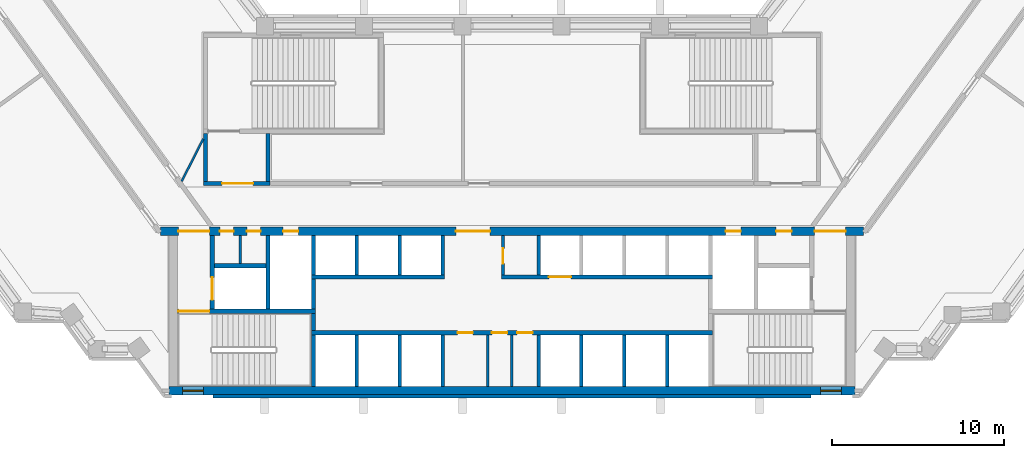
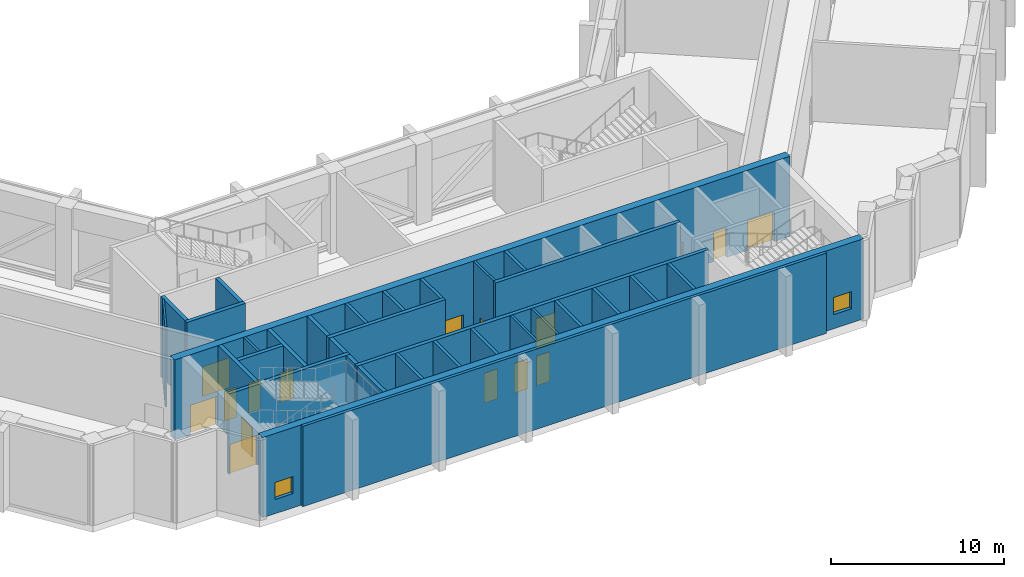
# One storey, part 11 of 18: 33 walls, 16 doors, 2 windows, 18 openings.
"""IFC4 building model written with IfcOpenShell, lengths in metres."""

from ifc_helpers import new_model, si_unit, direction, frame, frame_2d, origin, place, context, subcontext, project, spatial, rectangle, extrude, material, layer, layer_set, type_object, element, fill, save


model = new_model("IFC4")

# Units and contexts
model_context = context("Model", 3, precision=1e-05, world=origin(), true_north=direction((0.0, 1.0)))
body_context = subcontext(model_context, "Body", "Model", "MODEL_VIEW")
ifc_project = project(units=[si_unit("LENGTHUNIT", "METRE"), si_unit("AREAUNIT", "SQUARE_METRE"), si_unit("VOLUMEUNIT", "CUBIC_METRE"), si_unit("PLANEANGLEUNIT", "RADIAN"), si_unit("MASSUNIT", "GRAM", prefix="KILO")], contexts=[model_context])

# Site, building, storey
site_placement = place(None, origin())
site = spatial("IfcSite", under=ifc_project, at=site_placement, CompositionType="ELEMENT")
building_placement = place(site_placement, origin())
building = spatial("IfcBuilding", under=site, at=building_placement, Name="Quipu Civic Tower", CompositionType="ELEMENT")
storey_placement = place(building_placement, frame((0.0, 0.0, 79.0)))
storey = spatial("IfcBuildingStorey", under=building, at=storey_placement, Name="L18", CompositionType="ELEMENT", Elevation=79.0)

# Wall
ifc_material_1 = material(Name="Concrete C70/85", Category="concrete")
ifc_layer_1 = layer(ifc_material_1, 0.25)
ifc_layer_set_1 = layer_set([ifc_layer_1], Name="Concrete C70/85")
wall_type_1 = type_object("IfcWallType", Name="Core wall 250", PredefinedType="SHEAR", material=ifc_layer_set_1)
wall_1_placement = place(storey_placement, frame((-11.574951171875, -10.5, 0.0), z_axis=(0.0, 0.0, 1.0), x_axis=(0.0, 1.0, 0.0)))
element("IfcWall", 1, at=wall_1_placement, inside=storey, type_object=wall_type_1, Name="Core wall", PredefinedType="SHEAR", context=body_context, shape_type="SweptSolid", body=[
    extrude(rectangle(XDim=3.0, YDim=0.25, at=frame_2d((1.5, 0.0))), origin(), (0.0, 0.0, 1.0), 5.64990234375),
])

# Wall, openings, doors
wall_2_placement = place(storey_placement, frame((11.699951171875, -7.375, 0.0), z_axis=(0.0, 0.0, 1.0), x_axis=(-1.0, 0.0, 0.0)))
wall_2 = element("IfcWall", 2, at=wall_2_placement, inside=storey, type_object=wall_type_1, Name="Core wall", PredefinedType="SHEAR", context=body_context, shape_type="SweptSolid", body=[
    extrude(rectangle(XDim=23.39990234375, YDim=0.25, at=frame_2d((11.699951171875, 0.0))), origin(), (0.0, 0.0, 1.0), 5.64990234375),
])
opening_1_placement = place(wall_2_placement, frame((13.97509765625, 0.0, 0.0)))
opening_1 = element("IfcOpeningElement", 3, at=opening_1_placement, cuts=wall_2, Name="Opening CD-01", PredefinedType="OPENING", context=body_context, shape_type="SweptSolid", body=[
    extrude(rectangle(XDim=0.89990234375, YDim=2.10009765625, at=frame_2d((0.449951171875, 1.050048828125))), frame((0.0, 0.135009765625, 0.0), z_axis=(0.0, -1.0, 0.0), x_axis=(1.0, 0.0, 0.0)), (0.0, 0.0, 1.0), 0.27001953125),
])
opening_2_placement = place(wall_2_placement, frame((11.97509765625, 0.0, 0.0)))
opening_2 = element("IfcOpeningElement", 4, at=opening_2_placement, cuts=wall_2, Name="Opening CD-02", PredefinedType="OPENING", context=body_context, shape_type="SweptSolid", body=[
    extrude(rectangle(XDim=0.89990234375, YDim=2.10009765625, at=frame_2d((0.449951171875, 1.050048828125))), frame((0.0, 0.135009765625, 0.0), z_axis=(0.0, -1.0, 0.0), x_axis=(1.0, 0.0, 0.0)), (0.0, 0.0, 1.0), 0.27001953125),
])
opening_3_placement = place(wall_2_placement, frame((10.5, 0.0, 0.0)))
opening_3 = element("IfcOpeningElement", 5, at=opening_3_placement, cuts=wall_2, Name="Opening CD-03", PredefinedType="OPENING", context=body_context, shape_type="SweptSolid", body=[
    extrude(rectangle(XDim=0.89990234375, YDim=2.10009765625, at=frame_2d((0.449951171875, 1.050048828125))), frame((0.0, 0.135009765625, 0.0), z_axis=(0.0, -1.0, 0.0), x_axis=(1.0, 0.0, 0.0)), (0.0, 0.0, 1.0), 0.27001953125),
])
ifc_material_2 = material(Name="Fire rated steel door", Category="steel")
door_type_1 = type_object("IfcDoorType", Name="Fire door FD60 900 x 2100", OperationType="NOTDEFINED", PredefinedType="DOOR", material=ifc_material_2)
door_1_placement = place(opening_1_placement, origin())
door_1 = element("IfcDoor", 6, at=door_1_placement, inside=storey, type_object=door_type_1, Name="Plant door", OperationType="SINGLE_SWING_RIGHT", OverallHeight=2.10009765625, OverallWidth=0.89990234375, PredefinedType="DOOR", context=body_context, shape_type="SweptSolid", body=[
    extrude(rectangle(XDim=0.89990234375, YDim=2.10009765625, at=frame_2d((0.449951171875, 1.050048828125))), frame((0.0, 0.02490234375, 0.0), z_axis=(0.0, -1.0, 0.0), x_axis=(1.0, 0.0, 0.0)), (0.0, 0.0, 1.0), 0.050048828125),
])
fill(opening_1, door_1)
door_2_placement = place(opening_2_placement, origin())
door_2 = element("IfcDoor", 7, at=door_2_placement, inside=storey, type_object=door_type_1, Name="Plant door", OperationType="SINGLE_SWING_RIGHT", OverallHeight=2.10009765625, OverallWidth=0.89990234375, PredefinedType="DOOR", context=body_context, shape_type="SweptSolid", body=[
    extrude(rectangle(XDim=0.89990234375, YDim=2.10009765625, at=frame_2d((0.449951171875, 1.050048828125))), frame((0.0, 0.02490234375, 0.0), z_axis=(0.0, -1.0, 0.0), x_axis=(1.0, 0.0, 0.0)), (0.0, 0.0, 1.0), 0.050048828125),
])
fill(opening_2, door_2)
door_3_placement = place(opening_3_placement, origin())
door_3 = element("IfcDoor", 8, at=door_3_placement, inside=storey, type_object=door_type_1, Name="Plant door", OperationType="SINGLE_SWING_LEFT", OverallHeight=2.10009765625, OverallWidth=0.89990234375, PredefinedType="DOOR", context=body_context, shape_type="SweptSolid", body=[
    extrude(rectangle(XDim=0.89990234375, YDim=2.10009765625, at=frame_2d((0.449951171875, 1.050048828125))), frame((0.0, 0.02490234375, 0.0), z_axis=(0.0, -1.0, 0.0), x_axis=(1.0, 0.0, 0.0)), (0.0, 0.0, 1.0), 0.050048828125),
])
fill(opening_3, door_3)

# Wall
wall_3_placement = place(storey_placement, frame((-11.574951171875, -7.25, 0.0), z_axis=(0.0, 0.0, 1.0), x_axis=(0.0, 1.0, 0.0)))
element("IfcWall", 9, at=wall_3_placement, inside=storey, type_object=wall_type_1, Name="Core wall", PredefinedType="SHEAR", context=body_context, shape_type="SweptSolid", body=[
    extrude(rectangle(XDim=1.0, YDim=0.25, at=frame_2d((0.5, 0.0))), origin(), (0.0, 0.0, 1.0), 5.64990234375),
])

# Wall, opening, door
wall_4_placement = place(storey_placement, frame((-11.449951171875, -6.125, 0.0), z_axis=(0.0, 0.0, 1.0), x_axis=(-1.0, 0.0, 0.0)))
wall_4 = element("IfcWall", 10, at=wall_4_placement, inside=storey, type_object=wall_type_1, Name="Core wall", PredefinedType="SHEAR", context=body_context, shape_type="SweptSolid", body=[
    extrude(rectangle(XDim=8.050048828125, YDim=0.25, at=frame_2d((4.02490234375, 0.0))), origin(), (0.0, 0.0, 1.0), 5.64990234375),
])
opening_4_placement = place(wall_4_placement, frame((6.199951171875, 0.0, 0.0)))
opening_4 = element("IfcOpeningElement", 11, at=opening_4_placement, cuts=wall_4, Name="Opening CD-04", PredefinedType="OPENING", context=body_context, shape_type="SweptSolid", body=[
    extrude(rectangle(XDim=1.800048828125, YDim=2.10009765625, at=frame_2d((0.89990234375, 1.050048828125))), frame((0.0, 0.135009765625, 0.0), z_axis=(0.0, -1.0, 0.0), x_axis=(1.0, 0.0, 0.0)), (0.0, 0.0, 1.0), 0.27001953125),
])
ifc_material_3 = material(Name="Fire rated steel door", Category="steel")
door_type_2 = type_object("IfcDoorType", Name="Fire door FD90 double 1800 x 2100", OperationType="NOTDEFINED", PredefinedType="DOOR", material=ifc_material_3)
door_4_placement = place(opening_4_placement, origin())
door_4 = element("IfcDoor", 12, at=door_4_placement, inside=storey, type_object=door_type_2, Name="Door", OperationType="DOUBLE_DOOR_SINGLE_SWING", OverallHeight=2.10009765625, OverallWidth=1.800048828125, PredefinedType="DOOR", context=body_context, shape_type="SweptSolid", body=[
    extrude(rectangle(XDim=1.800048828125, YDim=2.10009765625, at=frame_2d((0.89990234375, 1.050048828125))), frame((0.0, 0.02490234375, 0.0), z_axis=(0.0, -1.0, 0.0), x_axis=(1.0, 0.0, 0.0)), (0.0, 0.0, 1.0), 0.050048828125),
])
fill(opening_4, door_4)

wall_5_placement = place(storey_placement, frame((-17.47509765625, -6.0, 0.0), z_axis=(0.0, 0.0, 1.0), x_axis=(0.0, 1.0, 0.0)))
wall_5 = element("IfcWall", 13, at=wall_5_placement, inside=storey, type_object=wall_type_1, Name="Core wall", PredefinedType="SHEAR", context=body_context, shape_type="SweptSolid", body=[
    extrude(rectangle(XDim=4.300048828125, YDim=0.25, at=frame_2d((2.14990234375, 0.0))), origin(), (0.0, 0.0, 1.0), 5.64990234375),
])
opening_5_placement = place(wall_5_placement, frame((0.550048828125, 0.0, 0.0)))
opening_5 = element("IfcOpeningElement", 14, at=opening_5_placement, cuts=wall_5, Name="Opening LD-FF1", PredefinedType="OPENING", context=body_context, shape_type="SweptSolid", body=[
    extrude(rectangle(XDim=1.300048828125, YDim=2.10009765625, at=frame_2d((0.64990234375, 1.050048828125))), frame((0.0, 0.135009765625, 0.0), z_axis=(0.0, -1.0, 0.0), x_axis=(1.0, 0.0, 0.0)), (0.0, 0.0, 1.0), 0.27001953125),
])
ifc_material_4 = material(Name="Stainless steel", Category="steel")
door_type_3 = type_object("IfcDoorType", Name="Lift landing door 1300 x 2100", OperationType="DOUBLE_DOOR_SLIDING", PredefinedType="DOOR", material=ifc_material_4)
door_5_placement = place(opening_5_placement, origin())
door_5 = element("IfcDoor", 15, at=door_5_placement, inside=storey, type_object=door_type_3, Name="Landing door FF1", OperationType="DOUBLE_DOOR_SLIDING", OverallHeight=2.10009765625, OverallWidth=1.300048828125, PredefinedType="DOOR", context=body_context, shape_type="SweptSolid", body=[
    extrude(rectangle(XDim=1.300048828125, YDim=2.10009765625, at=frame_2d((0.64990234375, 1.050048828125))), frame((0.0, 0.02490234375, 0.0), z_axis=(0.0, -1.0, 0.0), x_axis=(1.0, 0.0, 0.0)), (0.0, 0.0, 1.0), 0.050048828125),
])
fill(opening_5, door_5)

# Walls
wall_6_placement = place(storey_placement, frame((-14.22509765625, -6.0, 0.0), z_axis=(0.0, 0.0, 1.0), x_axis=(0.0, 1.0, 0.0)))
element("IfcWall", 16, at=wall_6_placement, inside=storey, type_object=wall_type_1, Name="Core wall", PredefinedType="SHEAR", context=body_context, shape_type="SweptSolid", body=[
    extrude(rectangle(XDim=4.300048828125, YDim=0.25, at=frame_2d((2.14990234375, 0.0))), origin(), (0.0, 0.0, 1.0), 5.64990234375),
])
wall_7_placement = place(storey_placement, frame((-11.574951171875, -6.0, 0.0), z_axis=(0.0, 0.0, 1.0), x_axis=(0.0, 1.0, 0.0)))
element("IfcWall", 17, at=wall_7_placement, inside=storey, type_object=wall_type_1, Name="Core wall", PredefinedType="SHEAR", context=body_context, shape_type="SweptSolid", body=[
    extrude(rectangle(XDim=1.75, YDim=0.25, at=frame_2d((0.875, 0.0))), origin(), (0.0, 0.0, 1.0), 5.64990234375),
])
wall_8_placement = place(storey_placement, frame((-11.699951171875, -4.125, 0.0), z_axis=(0.0, 0.0, 1.0), x_axis=(1.0, 0.0, 0.0)))
element("IfcWall", 18, at=wall_8_placement, inside=storey, type_object=wall_type_1, Name="Core wall", PredefinedType="SHEAR", context=body_context, shape_type="SweptSolid", body=[
    extrude(rectangle(XDim=7.75, YDim=0.25, at=frame_2d((3.875, 0.0))), origin(), (0.0, 0.0, 1.0), 5.64990234375),
])

# Wall, opening, door
wall_9_placement = place(storey_placement, frame((-0.60009765625, -4.125, 0.0), z_axis=(0.0, 0.0, 1.0), x_axis=(1.0, 0.0, 0.0)))
wall_9 = element("IfcWall", 19, at=wall_9_placement, inside=storey, type_object=wall_type_1, Name="Core wall", PredefinedType="SHEAR", context=body_context, shape_type="SweptSolid", body=[
    extrude(rectangle(XDim=12.300048828125, YDim=0.25, at=frame_2d((6.14990234375, 0.0))), origin(), (0.0, 0.0, 1.0), 5.64990234375),
])
opening_6_placement = place(wall_9_placement, frame((2.75, 0.0, 0.0)))
opening_6 = element("IfcOpeningElement", 20, at=opening_6_placement, cuts=wall_9, Name="Opening LD-FF3", PredefinedType="OPENING", context=body_context, shape_type="SweptSolid", body=[
    extrude(rectangle(XDim=1.300048828125, YDim=2.10009765625, at=frame_2d((0.64990234375, 1.050048828125))), frame((0.0, 0.135009765625, 0.0), z_axis=(0.0, -1.0, 0.0), x_axis=(1.0, 0.0, 0.0)), (0.0, 0.0, 1.0), 0.27001953125),
])
door_6_placement = place(opening_6_placement, origin())
door_6 = element("IfcDoor", 21, at=door_6_placement, inside=storey, type_object=door_type_3, Name="Landing door FF3", OperationType="DOUBLE_DOOR_SLIDING", OverallHeight=2.10009765625, OverallWidth=1.300048828125, PredefinedType="DOOR", context=body_context, shape_type="SweptSolid", body=[
    extrude(rectangle(XDim=1.300048828125, YDim=2.10009765625, at=frame_2d((0.64990234375, 1.050048828125))), frame((0.0, 0.02490234375, 0.0), z_axis=(0.0, -1.0, 0.0), x_axis=(1.0, 0.0, 0.0)), (0.0, 0.0, 1.0), 0.050048828125),
])
fill(opening_6, door_6)

# Walls
wall_10_placement = place(storey_placement, frame((-11.574951171875, -4.0, 0.0), z_axis=(0.0, 0.0, 1.0), x_axis=(0.0, 1.0, 0.0)))
element("IfcWall", 22, at=wall_10_placement, inside=storey, type_object=wall_type_1, Name="Core wall", PredefinedType="SHEAR", context=body_context, shape_type="SweptSolid", body=[
    extrude(rectangle(XDim=2.300048828125, YDim=0.25, at=frame_2d((1.14990234375, 0.0))), origin(), (0.0, 0.0, 1.0), 5.64990234375),
])
wall_11_placement = place(storey_placement, frame((-17.35009765625, -3.47509765625, 0.0), z_axis=(0.0, 0.0, 1.0), x_axis=(1.0, 0.0, 0.0)))
element("IfcWall", 23, at=wall_11_placement, inside=storey, type_object=wall_type_1, Name="Core wall", PredefinedType="SHEAR", context=body_context, shape_type="SweptSolid", body=[
    extrude(rectangle(XDim=3.0, YDim=0.25, at=frame_2d((1.5, 0.0))), origin(), (0.0, 0.0, 1.0), 5.64990234375),
])

# Wall, opening, door
wall_12_placement = place(storey_placement, frame((-18.0, 1.324951171875, 0.0), z_axis=(0.0, 0.0, 1.0), x_axis=(1.0, 0.0, 0.0)))
wall_12 = element("IfcWall", 24, at=wall_12_placement, inside=storey, type_object=wall_type_1, Name="Core wall", PredefinedType="SHEAR", context=body_context, shape_type="SweptSolid", body=[
    extrude(rectangle(XDim=3.89990234375, YDim=0.25, at=frame_2d((1.949951171875, 0.0))), origin(), (0.0, 0.0, 1.0), 5.64990234375),
])
opening_7_placement = place(wall_12_placement, frame((1.10009765625, 0.0, 0.0)))
opening_7 = element("IfcOpeningElement", 25, at=opening_7_placement, cuts=wall_12, Name="Opening CD-15", PredefinedType="OPENING", context=body_context, shape_type="SweptSolid", body=[
    extrude(rectangle(XDim=1.800048828125, YDim=2.10009765625, at=frame_2d((0.89990234375, 1.050048828125))), frame((0.0, 0.135009765625, 0.0), z_axis=(0.0, -1.0, 0.0), x_axis=(1.0, 0.0, 0.0)), (0.0, 0.0, 1.0), 0.27001953125),
])
door_7_placement = place(opening_7_placement, origin())
door_7 = element("IfcDoor", 26, at=door_7_placement, inside=storey, type_object=door_type_2, Name="Lobby door", OperationType="DOUBLE_DOOR_SINGLE_SWING", OverallHeight=2.10009765625, OverallWidth=1.800048828125, PredefinedType="DOOR", context=body_context, shape_type="SweptSolid", body=[
    extrude(rectangle(XDim=1.800048828125, YDim=2.10009765625, at=frame_2d((0.89990234375, 1.050048828125))), frame((0.0, 0.02490234375, 0.0), z_axis=(0.0, -1.0, 0.0), x_axis=(1.0, 0.0, 0.0)), (0.0, 0.0, 1.0), 0.050048828125),
])
fill(opening_7, door_7)

# Walls
for number, where, z_axis, x_axis, name in (
    (27, (-17.875, 1.449951171875, 0.0), (0.0, 0.0, 1.0), (0.0, 1.0, 0.0), "Core wall"),
    (28, (-14.22509765625, 1.449951171875, 0.0), (0.0, 0.0, 1.0), (0.0, 1.0, 0.0), "Core wall"),
):
    element("IfcWall", number, at=place(storey_placement, frame(where, z_axis=z_axis, x_axis=x_axis)), inside=storey, type_object=wall_type_1, Name=name, PredefinedType="SHEAR", context=body_context, shape_type="SweptSolid", body=[
        extrude(rectangle(XDim=2.800048828125, YDim=0.25, at=frame_2d((1.39990234375, 0.0))), origin(), (0.0, 0.0, 1.0), 5.64990234375),
    ])

# Wall, openings, windows
ifc_material_5 = material(Name="Concrete C70/85", Category="concrete")
ifc_layer_2 = layer(ifc_material_5, 0.5)
ifc_layer_set_2 = layer_set([ifc_layer_2], Name="Concrete C70/85")
wall_type_2 = type_object("IfcWallType", Name="Core wall 500", PredefinedType="SHEAR", material=ifc_layer_set_2)
wall_13_placement = place(storey_placement, frame((-20.0, -10.75, 0.0), z_axis=(0.0, 0.0, 1.0), x_axis=(1.0, 0.0, 0.0)))
wall_13 = element("IfcWall", 29, at=wall_13_placement, inside=storey, type_object=wall_type_2, Name="Core wall", PredefinedType="SHEAR", context=body_context, shape_type="SweptSolid", body=[
    extrude(rectangle(XDim=40.0, YDim=0.5, at=frame_2d((20.0, 0.0))), origin(), (0.0, 0.0, 1.0), 5.64990234375),
])
opening_8_placement = place(wall_13_placement, frame((0.800048828125, 0.0, 1.0)))
opening_8 = element("IfcOpeningElement", 30, at=opening_8_placement, cuts=wall_13, Name="Opening SV-1", PredefinedType="OPENING", context=body_context, shape_type="SweptSolid", body=[
    extrude(rectangle(XDim=1.199951171875, YDim=1.199951171875, at=frame_2d((0.60009765625, 0.60009765625))), frame((0.0, 0.260009765625, 0.0), z_axis=(0.0, -1.0, 0.0), x_axis=(1.0, 0.0, 0.0)), (0.0, 0.0, 1.0), 0.52001953125),
])
opening_9_placement = place(wall_13_placement, frame((38.0, 0.0, 1.0)))
opening_9 = element("IfcOpeningElement", 31, at=opening_9_placement, cuts=wall_13, Name="Opening SV-2", PredefinedType="OPENING", context=body_context, shape_type="SweptSolid", body=[
    extrude(rectangle(XDim=1.199951171875, YDim=1.199951171875, at=frame_2d((0.60009765625, 0.60009765625))), frame((0.0, 0.260009765625, 0.0), z_axis=(0.0, -1.0, 0.0), x_axis=(1.0, 0.0, 0.0)), (0.0, 0.0, 1.0), 0.52001953125),
])
ifc_material_6 = material(Name="Aluminium louvre", Category="aluminium")
window_type = type_object("IfcWindowType", Name="Stair ventilation louvre 1200 x 1200", PartitioningType="SINGLE_PANEL", PredefinedType="WINDOW", material=ifc_material_6)
window_1_placement = place(opening_8_placement, origin())
window_1 = element("IfcWindow", 32, at=window_1_placement, inside=storey, type_object=window_type, Name="Stair ventilation opening", OverallHeight=1.199951171875, OverallWidth=1.199951171875, PartitioningType="SINGLE_PANEL", PredefinedType="WINDOW", context=body_context, shape_type="SweptSolid", body=[
    extrude(rectangle(XDim=1.199951171875, YDim=1.199951171875, at=frame_2d((0.60009765625, 0.60009765625))), frame((0.0, 0.030029296875, 0.0), z_axis=(0.0, -1.0, 0.0), x_axis=(1.0, 0.0, 0.0)), (0.0, 0.0, 1.0), 0.06005859375),
])
fill(opening_8, window_1)
window_2_placement = place(opening_9_placement, origin())
window_2 = element("IfcWindow", 33, at=window_2_placement, inside=storey, type_object=window_type, Name="Stair ventilation opening", OverallHeight=1.199951171875, OverallWidth=1.199951171875, PartitioningType="SINGLE_PANEL", PredefinedType="WINDOW", context=body_context, shape_type="SweptSolid", body=[
    extrude(rectangle(XDim=1.199951171875, YDim=1.199951171875, at=frame_2d((0.60009765625, 0.60009765625))), frame((0.0, 0.030029296875, 0.0), z_axis=(0.0, -1.0, 0.0), x_axis=(1.0, 0.0, 0.0)), (0.0, 0.0, 1.0), 0.06005859375),
])
fill(opening_9, window_2)

# Wall, openings, doors
wall_14_placement = place(storey_placement, frame((20.489990234375, -1.449951171875, 0.0), z_axis=(0.0, 0.0, 1.0), x_axis=(-1.0, 0.0, 0.0)))
wall_14 = element("IfcWall", 34, at=wall_14_placement, inside=storey, type_object=wall_type_2, Name="Core wall", PredefinedType="SHEAR", context=body_context, shape_type="SweptSolid", body=[
    extrude(rectangle(XDim=40.97998046875, YDim=0.5, at=frame_2d((20.489990234375, 0.0))), origin(), (0.0, 0.0, 1.0), 5.64990234375),
])
opening_10_placement = place(wall_14_placement, frame((38.139892578125, 0.0, 0.0)))
opening_10 = element("IfcOpeningElement", 35, at=opening_10_placement, cuts=wall_14, Name="Opening CD-07", PredefinedType="OPENING", context=body_context, shape_type="SweptSolid", body=[
    extrude(rectangle(XDim=1.800048828125, YDim=2.10009765625, at=frame_2d((0.89990234375, 1.050048828125))), frame((0.0, 0.260009765625, 0.0), z_axis=(0.0, -1.0, 0.0), x_axis=(1.0, 0.0, 0.0)), (0.0, 0.0, 1.0), 0.52001953125),
])
opening_11_placement = place(wall_14_placement, frame((36.7275390625, 0.0, 0.0)))
opening_11 = element("IfcOpeningElement", 36, at=opening_11_placement, cuts=wall_14, Name="Opening CD-08", PredefinedType="OPENING", context=body_context, shape_type="SweptSolid", body=[
    extrude(rectangle(XDim=0.800048828125, YDim=2.10009765625, at=frame_2d((0.39990234375, 1.050048828125))), frame((0.0, 0.260009765625, 0.0), z_axis=(0.0, -1.0, 0.0), x_axis=(1.0, 0.0, 0.0)), (0.0, 0.0, 1.0), 0.52001953125),
])
opening_12_placement = place(wall_14_placement, frame((35.152587890625, 0.0, 0.0)))
opening_12 = element("IfcOpeningElement", 37, at=opening_12_placement, cuts=wall_14, Name="Opening CD-09", PredefinedType="OPENING", context=body_context, shape_type="SweptSolid", body=[
    extrude(rectangle(XDim=0.800048828125, YDim=2.10009765625, at=frame_2d((0.39990234375, 1.050048828125))), frame((0.0, 0.260009765625, 0.0), z_axis=(0.0, -1.0, 0.0), x_axis=(1.0, 0.0, 0.0)), (0.0, 0.0, 1.0), 0.52001953125),
])
opening_13_placement = place(wall_14_placement, frame((32.93994140625, 0.0, 0.0)))
opening_13 = element("IfcOpeningElement", 38, at=opening_13_placement, cuts=wall_14, Name="Opening CD-10", PredefinedType="OPENING", context=body_context, shape_type="SweptSolid", body=[
    extrude(rectangle(XDim=0.89990234375, YDim=2.10009765625, at=frame_2d((0.449951171875, 1.050048828125))), frame((0.0, 0.260009765625, 0.0), z_axis=(0.0, -1.0, 0.0), x_axis=(1.0, 0.0, 0.0)), (0.0, 0.0, 1.0), 0.52001953125),
])
opening_14_placement = place(wall_14_placement, frame((21.764892578125, 0.0, 0.0)))
opening_14 = element("IfcOpeningElement", 39, at=opening_14_placement, cuts=wall_14, Name="Opening CD-11", PredefinedType="OPENING", context=body_context, shape_type="SweptSolid", body=[
    extrude(rectangle(XDim=2.0, YDim=2.10009765625, at=frame_2d((1.0, 1.050048828125))), frame((0.0, 0.260009765625, 0.0), z_axis=(0.0, -1.0, 0.0), x_axis=(1.0, 0.0, 0.0)), (0.0, 0.0, 1.0), 0.52001953125),
])
opening_15_placement = place(wall_14_placement, frame((7.139892578125, 0.0, 0.0)))
opening_15 = element("IfcOpeningElement", 40, at=opening_15_placement, cuts=wall_14, Name="Opening CD-12", PredefinedType="OPENING", context=body_context, shape_type="SweptSolid", body=[
    extrude(rectangle(XDim=0.89990234375, YDim=2.10009765625, at=frame_2d((0.449951171875, 1.050048828125))), frame((0.0, 0.260009765625, 0.0), z_axis=(0.0, -1.0, 0.0), x_axis=(1.0, 0.0, 0.0)), (0.0, 0.0, 1.0), 0.52001953125),
])
opening_16_placement = place(wall_14_placement, frame((4.18994140625, 0.0, 0.0)))
opening_16 = element("IfcOpeningElement", 41, at=opening_16_placement, cuts=wall_14, Name="Opening CD-13", PredefinedType="OPENING", context=body_context, shape_type="SweptSolid", body=[
    extrude(rectangle(XDim=0.89990234375, YDim=2.10009765625, at=frame_2d((0.449951171875, 1.050048828125))), frame((0.0, 0.260009765625, 0.0), z_axis=(0.0, -1.0, 0.0), x_axis=(1.0, 0.0, 0.0)), (0.0, 0.0, 1.0), 0.52001953125),
])
opening_17_placement = place(wall_14_placement, frame((1.0400390625, 0.0, 0.0)))
opening_17 = element("IfcOpeningElement", 42, at=opening_17_placement, cuts=wall_14, Name="Opening CD-14", PredefinedType="OPENING", context=body_context, shape_type="SweptSolid", body=[
    extrude(rectangle(XDim=1.800048828125, YDim=2.10009765625, at=frame_2d((0.89990234375, 1.050048828125))), frame((0.0, 0.260009765625, 0.0), z_axis=(0.0, -1.0, 0.0), x_axis=(1.0, 0.0, 0.0)), (0.0, 0.0, 1.0), 0.52001953125),
])
ifc_material_7 = material(Name="Fire rated steel door", Category="steel")
door_type_4 = type_object("IfcDoorType", Name="Fire door FD60 800 x 2100", OperationType="NOTDEFINED", PredefinedType="DOOR", material=ifc_material_7)
door_8_placement = place(opening_11_placement, origin())
door_8 = element("IfcDoor", 43, at=door_8_placement, inside=storey, type_object=door_type_4, Name="Door", OperationType="SINGLE_SWING_RIGHT", OverallHeight=2.10009765625, OverallWidth=0.800048828125, PredefinedType="DOOR", context=body_context, shape_type="SweptSolid", body=[
    extrude(rectangle(XDim=0.800048828125, YDim=2.10009765625, at=frame_2d((0.39990234375, 1.050048828125))), frame((0.0, 0.02490234375, 0.0), z_axis=(0.0, -1.0, 0.0), x_axis=(1.0, 0.0, 0.0)), (0.0, 0.0, 1.0), 0.050048828125),
])
fill(opening_11, door_8)
door_9_placement = place(opening_12_placement, origin())
door_9 = element("IfcDoor", 44, at=door_9_placement, inside=storey, type_object=door_type_4, Name="Door", OperationType="SINGLE_SWING_RIGHT", OverallHeight=2.10009765625, OverallWidth=0.800048828125, PredefinedType="DOOR", context=body_context, shape_type="SweptSolid", body=[
    extrude(rectangle(XDim=0.800048828125, YDim=2.10009765625, at=frame_2d((0.39990234375, 1.050048828125))), frame((0.0, 0.02490234375, 0.0), z_axis=(0.0, -1.0, 0.0), x_axis=(1.0, 0.0, 0.0)), (0.0, 0.0, 1.0), 0.050048828125),
])
fill(opening_12, door_9)
door_10_placement = place(opening_13_placement, origin())
door_10 = element("IfcDoor", 45, at=door_10_placement, inside=storey, type_object=door_type_1, Name="Riser door", OperationType="SINGLE_SWING_RIGHT", OverallHeight=2.10009765625, OverallWidth=0.89990234375, PredefinedType="DOOR", context=body_context, shape_type="SweptSolid", body=[
    extrude(rectangle(XDim=0.89990234375, YDim=2.10009765625, at=frame_2d((0.449951171875, 1.050048828125))), frame((0.0, 0.02490234375, 0.0), z_axis=(0.0, -1.0, 0.0), x_axis=(1.0, 0.0, 0.0)), (0.0, 0.0, 1.0), 0.050048828125),
])
fill(opening_13, door_10)
door_11_placement = place(opening_15_placement, origin())
door_11 = element("IfcDoor", 46, at=door_11_placement, inside=storey, type_object=door_type_1, Name="Riser door", OperationType="SINGLE_SWING_LEFT", OverallHeight=2.10009765625, OverallWidth=0.89990234375, PredefinedType="DOOR", context=body_context, shape_type="SweptSolid", body=[
    extrude(rectangle(XDim=0.89990234375, YDim=2.10009765625, at=frame_2d((0.449951171875, 1.050048828125))), frame((0.0, 0.02490234375, 0.0), z_axis=(0.0, -1.0, 0.0), x_axis=(1.0, 0.0, 0.0)), (0.0, 0.0, 1.0), 0.050048828125),
])
fill(opening_15, door_11)
door_12_placement = place(opening_16_placement, origin())
door_12 = element("IfcDoor", 47, at=door_12_placement, inside=storey, type_object=door_type_1, Name="Door", OperationType="SINGLE_SWING_LEFT", OverallHeight=2.10009765625, OverallWidth=0.89990234375, PredefinedType="DOOR", context=body_context, shape_type="SweptSolid", body=[
    extrude(rectangle(XDim=0.89990234375, YDim=2.10009765625, at=frame_2d((0.449951171875, 1.050048828125))), frame((0.0, 0.02490234375, 0.0), z_axis=(0.0, -1.0, 0.0), x_axis=(1.0, 0.0, 0.0)), (0.0, 0.0, 1.0), 0.050048828125),
])
fill(opening_16, door_12)
door_13_placement = place(opening_10_placement, origin())
door_13 = element("IfcDoor", 48, at=door_13_placement, inside=storey, type_object=door_type_2, Name="Lobby door", OperationType="DOUBLE_DOOR_SINGLE_SWING", OverallHeight=2.10009765625, OverallWidth=1.800048828125, PredefinedType="DOOR", context=body_context, shape_type="SweptSolid", body=[
    extrude(rectangle(XDim=1.800048828125, YDim=2.10009765625, at=frame_2d((0.89990234375, 1.050048828125))), frame((0.0, 0.02490234375, 0.0), z_axis=(0.0, -1.0, 0.0), x_axis=(1.0, 0.0, 0.0)), (0.0, 0.0, 1.0), 0.050048828125),
])
fill(opening_10, door_13)
door_14_placement = place(opening_17_placement, origin())
door_14 = element("IfcDoor", 49, at=door_14_placement, inside=storey, type_object=door_type_2, Name="Lobby door", OperationType="DOUBLE_DOOR_SINGLE_SWING", OverallHeight=2.10009765625, OverallWidth=1.800048828125, PredefinedType="DOOR", context=body_context, shape_type="SweptSolid", body=[
    extrude(rectangle(XDim=1.800048828125, YDim=2.10009765625, at=frame_2d((0.89990234375, 1.050048828125))), frame((0.0, 0.02490234375, 0.0), z_axis=(0.0, -1.0, 0.0), x_axis=(1.0, 0.0, 0.0)), (0.0, 0.0, 1.0), 0.050048828125),
])
fill(opening_17, door_14)
ifc_material_8 = material(Name="Fire rated steel door", Category="steel")
door_type_5 = type_object("IfcDoorType", Name="Fire door FD90 double 2000 x 2100", OperationType="NOTDEFINED", PredefinedType="DOOR", material=ifc_material_8)
door_15_placement = place(opening_14_placement, origin())
door_15 = element("IfcDoor", 50, at=door_15_placement, inside=storey, type_object=door_type_5, Name="Lobby door", OperationType="DOUBLE_DOOR_SINGLE_SWING", OverallHeight=2.10009765625, OverallWidth=2.0, PredefinedType="DOOR", context=body_context, shape_type="SweptSolid", body=[
    extrude(rectangle(XDim=2.0, YDim=2.10009765625, at=frame_2d((1.0, 1.050048828125))), frame((0.0, 0.02490234375, 0.0), z_axis=(0.0, -1.0, 0.0), x_axis=(1.0, 0.0, 0.0)), (0.0, 0.0, 1.0), 0.050048828125),
])
fill(opening_14, door_15)

# Walls
ifc_material_9 = material(Name="Gypsum plasterboard on light gauge framing")
ifc_layer_3 = layer(ifc_material_9, 0.1201171875)
ifc_layer_set_3 = layer_set([ifc_layer_3], Name="Gypsum plasterboard on light gauge framing")
wall_type_3 = type_object("IfcWallType", Name="Partition 120 plasterboard", PredefinedType="PARTITIONING", material=ifc_layer_set_3)
wall_15_placement = place(storey_placement, frame((-19.260986328125, 1.449951171875, 0.0), z_axis=(0.0, 0.0, 1.0), x_axis=(0.453950796792, 0.891026752736, 0.0)))
element("IfcWall", 51, at=wall_15_placement, inside=storey, type_object=wall_type_3, Name="Partition P11", PredefinedType="PARTITIONING", context=body_context, shape_type="SweptSolid", body=[
    extrude(rectangle(XDim=2.77783203125, YDim=0.1201171875, at=frame_2d((1.388916015625, 0.0))), origin(), (0.0, 0.0, 1.0), 5.64990234375),
])
ifc_material_10 = material(Name="Gypsum board partition")
ifc_layer_4 = layer(ifc_material_10, 0.14990234375)
ifc_layer_set_4 = layer_set([ifc_layer_4], Name="Gypsum board partition")
wall_type_4 = type_object("IfcWallType", Name="Partition 150", PredefinedType="PARTITIONING", material=ifc_layer_set_4)
for number, where, z_axis, x_axis, name in (
    (52, (-1.425048828125, -10.5, 0.0), (0.0, 0.0, 1.0), (0.0, 1.0, 0.0), "Partition"),
    (53, (-0.02490234375, -10.5, 0.0), (0.0, 0.0, 1.0), (0.0, 1.0, 0.0), "Partition"),
):
    element("IfcWall", number, at=place(storey_placement, frame(where, z_axis=z_axis, x_axis=x_axis)), inside=storey, type_object=wall_type_4, Name=name, PredefinedType="PARTITIONING", context=body_context, shape_type="SweptSolid", body=[
        extrude(rectangle(XDim=3.0, YDim=0.14990234375, at=frame_2d((1.5, 0.0))), origin(), (0.0, 0.0, 1.0), 5.64990234375),
    ])

# Wall, opening, door
wall_16_placement = place(storey_placement, frame((-0.52490234375, -4.0, 0.0), z_axis=(0.0, 0.0, 1.0), x_axis=(0.0, 1.0, 0.0)))
wall_16 = element("IfcWall", 54, at=wall_16_placement, inside=storey, type_object=wall_type_4, Name="Partition", PredefinedType="PARTITIONING", context=body_context, shape_type="SweptSolid", body=[
    extrude(rectangle(XDim=2.300048828125, YDim=0.14990234375, at=frame_2d((1.14990234375, 0.0))), origin(), (0.0, 0.0, 1.0), 5.64990234375),
])
opening_18_placement = place(wall_16_placement, frame((0.64990234375, 0.0, 0.0)))
opening_18 = element("IfcOpeningElement", 55, at=opening_18_placement, cuts=wall_16, Name="Opening CD-06", PredefinedType="OPENING", context=body_context, shape_type="SweptSolid", body=[
    extrude(rectangle(XDim=0.89990234375, YDim=2.10009765625, at=frame_2d((0.449951171875, 1.050048828125))), frame((0.0, 0.0849609375, 0.0), z_axis=(0.0, -1.0, 0.0), x_axis=(1.0, 0.0, 0.0)), (0.0, 0.0, 1.0), 0.169921875),
])
door_16_placement = place(opening_18_placement, origin())
door_16 = element("IfcDoor", 56, at=door_16_placement, inside=storey, type_object=door_type_1, Name="WC door", OperationType="SINGLE_SWING_LEFT", OverallHeight=2.10009765625, OverallWidth=0.89990234375, PredefinedType="DOOR", context=body_context, shape_type="SweptSolid", body=[
    extrude(rectangle(XDim=0.89990234375, YDim=2.10009765625, at=frame_2d((0.449951171875, 1.050048828125))), frame((0.0, 0.02490234375, 0.0), z_axis=(0.0, -1.0, 0.0), x_axis=(1.0, 0.0, 0.0)), (0.0, 0.0, 1.0), 0.050048828125),
])
fill(opening_18, door_16)

# Walls
wall_17_placement = place(storey_placement, frame((-15.85009765625, -3.35009765625, 0.0), z_axis=(0.0, 0.0, 1.0), x_axis=(0.0, 1.0, 0.0)))
element("IfcWall", 57, at=wall_17_placement, inside=storey, type_object=wall_type_4, Name="Partition", PredefinedType="PARTITIONING", context=body_context, shape_type="SweptSolid", body=[
    extrude(rectangle(XDim=1.650146484375, YDim=0.14990234375, at=frame_2d((0.8251953125, 0.0))), origin(), (0.0, 0.0, 1.0), 5.64990234375),
])
ifc_material_11 = material(Name="Precast concrete C40/50", Category="concrete")
wall_type_5 = type_object("IfcWallType", Name="Precast cladding wall", PredefinedType="SOLIDWALL", material=ifc_material_11)
wall_18_placement = place(storey_placement, frame((-17.44384765625, -11.087890625, 0.0), z_axis=(0.0, 0.0, 1.0), x_axis=(1.0, 0.0, 0.0)))
element("IfcWall", 58, at=wall_18_placement, inside=storey, type_object=wall_type_5, Name="Precast cladding wall L18 19", PredefinedType="SOLIDWALL", context=body_context, shape_type="SweptSolid", body=[
    extrude(rectangle(XDim=34.8876953125, YDim=0.199951171875, at=frame_2d((17.44384765625, 0.0))), origin(), (0.0, 0.0, 1.0), 5.64990234375),
])
ifc_material_12 = material(Name="Concrete C40/50", Category="concrete")
ifc_layer_5 = layer(ifc_material_12, 0.199951171875)
ifc_layer_set_5 = layer_set([ifc_layer_5], Name="Concrete C40/50")
wall_type_6 = type_object("IfcWallType", Name="Shaft wall 200", PredefinedType="SOLIDWALL", material=ifc_layer_set_5)
for number, where, z_axis, x_axis, name in (
    (59, (-9.050048828125, -10.5, 0.0), (0.0, 0.0, 1.0), (0.0, 1.0, 0.0), "Shaft wall"),
    (60, (-6.550048828125, -10.5, 0.0), (0.0, 0.0, 1.0), (0.0, 1.0, 0.0), "Shaft wall"),
    (61, (-4.050048828125, -10.5, 0.0), (0.0, 0.0, 1.0), (0.0, 1.0, 0.0), "Shaft wall"),
    (62, (1.550048828125, -10.5, 0.0), (0.0, 0.0, 1.0), (0.0, 1.0, 0.0), "Shaft wall"),
    (63, (4.050048828125, -10.5, 0.0), (0.0, 0.0, 1.0), (0.0, 1.0, 0.0), "Shaft wall"),
    (64, (6.550048828125, -10.5, 0.0), (0.0, 0.0, 1.0), (0.0, 1.0, 0.0), "Shaft wall"),
    (65, (9.050048828125, -10.5, 0.0), (0.0, 0.0, 1.0), (0.0, 1.0, 0.0), "Shaft wall"),
):
    element("IfcWall", number, at=place(storey_placement, frame(where, z_axis=z_axis, x_axis=x_axis)), inside=storey, type_object=wall_type_6, Name=name, PredefinedType="SOLIDWALL", context=body_context, shape_type="SweptSolid", body=[
        extrude(rectangle(XDim=3.0, YDim=0.199951171875, at=frame_2d((1.5, 0.0))), origin(), (0.0, 0.0, 1.0), 5.64990234375),
    ])
for number, where, z_axis, x_axis, name in (
    (66, (-9.050048828125, -4.0, 0.0), (0.0, 0.0, 1.0), (0.0, 1.0, 0.0), "Shaft wall"),
    (67, (-6.550048828125, -4.0, 0.0), (0.0, 0.0, 1.0), (0.0, 1.0, 0.0), "Shaft wall"),
    (68, (-4.050048828125, -4.0, 0.0), (0.0, 0.0, 1.0), (0.0, 1.0, 0.0), "Shaft wall"),
    (69, (1.550048828125, -4.0, 0.0), (0.0, 0.0, 1.0), (0.0, 1.0, 0.0), "Shaft wall"),
):
    element("IfcWall", number, at=place(storey_placement, frame(where, z_axis=z_axis, x_axis=x_axis)), inside=storey, type_object=wall_type_6, Name=name, PredefinedType="SOLIDWALL", context=body_context, shape_type="SweptSolid", body=[
        extrude(rectangle(XDim=2.300048828125, YDim=0.199951171875, at=frame_2d((1.14990234375, 0.0))), origin(), (0.0, 0.0, 1.0), 5.64990234375),
    ])

save(model, "model.ifc")
